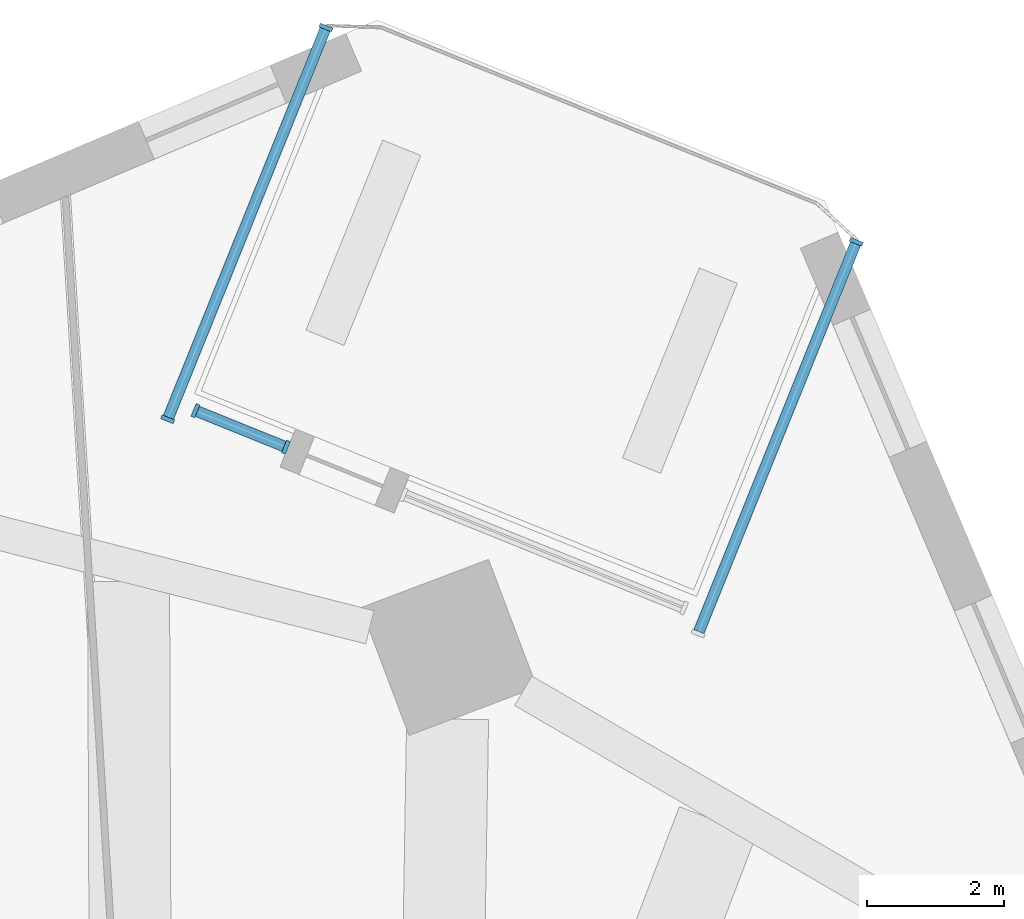
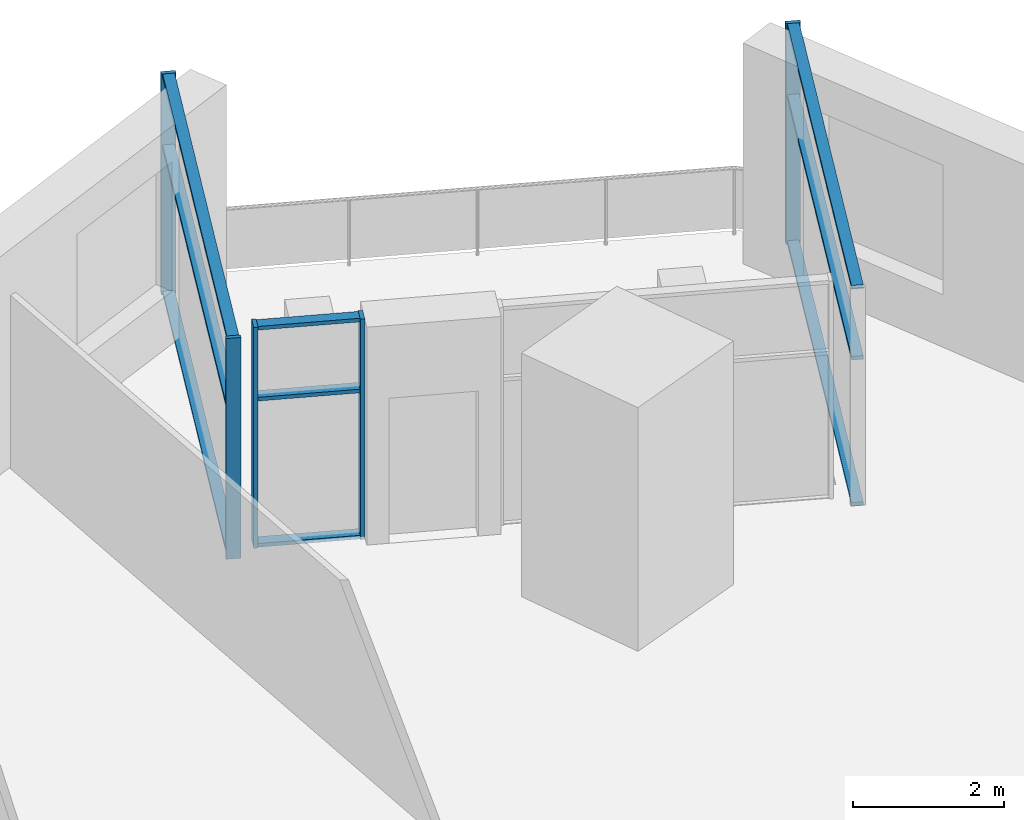
# One storey, part 4 of 12: 14 members, 3 elements without a shape of their own.
"""IFC4 building model written with IfcOpenShell, lengths in metres."""

from ifc_helpers import new_model, si_unit, direction, frame, origin, origin_2d, place, context, subcontext, project, spatial, rectangle, extrude, material, material_profile, profile_set, type_object, element, aggregate, save


model = new_model("IFC4")

# Units and contexts
model_context = context("Model", 3, precision=1e-05, world=origin(), true_north=direction((0.0, 1.0)))
body_context = subcontext(model_context, "Body", "Model", "MODEL_VIEW")
ifc_project = project(units=[si_unit("LENGTHUNIT", "METRE"), si_unit("AREAUNIT", "SQUARE_METRE"), si_unit("VOLUMEUNIT", "CUBIC_METRE"), si_unit("PLANEANGLEUNIT", "RADIAN"), si_unit("MASSUNIT", "GRAM", prefix="KILO")], contexts=[model_context])

# Site, building, storey
site_placement = place(None, origin())
site = spatial("IfcSite", under=ifc_project, at=site_placement, CompositionType="ELEMENT")
building_placement = place(site_placement, origin())
building = spatial("IfcBuilding", under=site, at=building_placement, Name="Dilmun Exchange Tower", CompositionType="ELEMENT")
storey_placement = place(building_placement, frame((0.0, 0.0, 114.10009765625)))
storey = spatial("IfcBuildingStorey", under=building, at=storey_placement, Name="L26", CompositionType="ELEMENT", Elevation=114.10009765625)

# Curtain wall, member
ifc_material_1 = material(Name="Anodised aluminium and clear glass", Category="aluminium")
curtain_wall_type = type_object("IfcCurtainWallType", Name="Garden corner glazing", PredefinedType="NOTDEFINED", material=ifc_material_1)
curtain_wall_1_placement = place(storey_placement, origin())
curtain_wall_1 = element("IfcCurtainWall", 1, at=curtain_wall_1_placement, inside=storey, type_object=curtain_wall_type, Name="Garden corner glazing run GC1.1", PredefinedType="NOTDEFINED")
ifc_material_2 = material(Name="Anodised aluminium", Category="aluminium")
ifc_material_profile_1 = material_profile(ifc_material_2, rectangle(XDim=0.199951171875, YDim=0.06005859375, at=origin_2d()), Name="AL 60x200")
ifc_profile_set_1 = profile_set([ifc_material_profile_1], Name="Anodised aluminium")
member_type_1 = type_object("IfcMemberType", Name="Garden corner glazing mullion 60 x 200", PredefinedType="MULLION", material=ifc_profile_set_1)
member_1_placement = place(storey_placement, frame((19.090576171875, 32.29296875, 0.0), z_axis=(0.0, 0.0, 1.0), x_axis=(0.927181535276, -0.374612333812, 0.0)))
member_1 = element("IfcMember", 2, at=member_1_placement, type_object=member_type_1, Name="GC1.1 mullion 1", PredefinedType="MULLION", context=body_context, shape_type="SweptSolid", body=[
    extrude(rectangle(XDim=0.199951171875, YDim=0.06005859375, at=origin_2d()), origin(), (0.0, 0.0, 1.0), 3.579833984375),
])

# Curtain wall, members
curtain_wall_2_placement = place(storey_placement, origin())
curtain_wall_2 = element("IfcCurtainWall", 3, at=curtain_wall_2_placement, inside=storey, type_object=curtain_wall_type, Name="Garden corner glazing run GC2.3", PredefinedType="NOTDEFINED")
member_2_placement = place(storey_placement, frame((10.7373046875, 29.287109375, 0.0), z_axis=(0.0, 0.0, 1.0), x_axis=(-0.374584072778, -0.927192953177, 0.0)))
member_2 = element("IfcMember", 4, at=member_2_placement, type_object=member_type_1, Name="GC2.3 mullion 1", PredefinedType="MULLION", context=body_context, shape_type="SweptSolid", body=[
    extrude(rectangle(XDim=0.199951171875, YDim=0.06005859375, at=origin_2d()), origin(), (0.0, 0.0, 1.0), 3.579833984375),
])
member_3_placement = place(storey_placement, frame((9.412109375, 29.822265625, 0.0), z_axis=(0.0, 0.0, 1.0), x_axis=(-0.374584072778, -0.927192953177, 0.0)))
member_3 = element("IfcMember", 5, at=member_3_placement, type_object=member_type_1, Name="GC2.3 mullion 2", PredefinedType="MULLION", context=body_context, shape_type="SweptSolid", body=[
    extrude(rectangle(XDim=0.199951171875, YDim=0.06005859375, at=origin_2d()), origin(), (0.0, 0.0, 1.0), 3.579833984375),
])

curtain_wall_3_placement = place(storey_placement, origin())
curtain_wall_3 = element("IfcCurtainWall", 6, at=curtain_wall_3_placement, inside=storey, type_object=curtain_wall_type, Name="Garden corner glazing run GC3.1", PredefinedType="NOTDEFINED")
member_4_placement = place(storey_placement, frame((9.005126953125, 29.695556640625, 0.0), z_axis=(0.0, 0.0, 1.0), x_axis=(-0.927187095693, 0.374598571247, 0.0)))
member_4 = element("IfcMember", 7, at=member_4_placement, type_object=member_type_1, Name="GC3.1 mullion 1", PredefinedType="MULLION", context=body_context, shape_type="SweptSolid", body=[
    extrude(rectangle(XDim=0.199951171875, YDim=0.06005859375, at=origin_2d()), origin(), (0.0, 0.0, 1.0), 3.579833984375),
])
member_5_placement = place(storey_placement, frame((11.322509765625, 35.431640625, 0.0), z_axis=(0.0, 0.0, 1.0), x_axis=(-0.927187095693, 0.374598571247, 0.0)))
member_5 = element("IfcMember", 8, at=member_5_placement, type_object=member_type_1, Name="GC3.1 mullion 2", PredefinedType="MULLION", context=body_context, shape_type="SweptSolid", body=[
    extrude(rectangle(XDim=0.199951171875, YDim=0.06005859375, at=origin_2d()), origin(), (0.0, 0.0, 1.0), 3.579833984375),
])

# Member
ifc_material_profile_2 = material_profile(ifc_material_2, rectangle(XDim=0.159912109375, YDim=0.06005859375, at=origin_2d()), Name="AL 60x160")
ifc_profile_set_2 = profile_set([ifc_material_profile_2], Name="Anodised aluminium")
member_type_2 = type_object("IfcMemberType", Name="Garden corner glazing transom 60 x 160", PredefinedType="USERDEFINED", material=ifc_profile_set_2)
member_6_placement = place(storey_placement, frame((19.079345703125, 32.265380859375, 0.02978515625), z_axis=(-0.374590211366, -0.927190473176, 0.0), x_axis=(0.927190473176, -0.374590211366, 0.0)))
member_6 = element("IfcMember", 9, at=member_6_placement, type_object=member_type_2, Name="GC1.1 transom 1.1", ObjectType="TRANSOM", PredefinedType="USERDEFINED", context=body_context, shape_type="SweptSolid", body=[
    extrude(rectangle(XDim=0.159912109375, YDim=0.06005859375, at=origin_2d()), origin(), (0.0, 0.0, 1.0), 6.12646484375),
])

member_7_placement = place(storey_placement, frame((19.079345703125, 32.265380859375, 2.39990234375), z_axis=(-0.374590211366, -0.927190473176, 0.0), x_axis=(0.927190473176, -0.374590211366, 0.0)))
member_7 = element("IfcMember", 10, at=member_7_placement, type_object=member_type_2, Name="GC1.1 transom 1.2", ObjectType="TRANSOM", PredefinedType="USERDEFINED", context=body_context, shape_type="SweptSolid", body=[
    extrude(rectangle(XDim=0.159912109375, YDim=0.06005859375, at=origin_2d()), origin(), (0.0, 0.0, 1.0), 6.12646484375),
])

member_8_placement = place(storey_placement, frame((19.079345703125, 32.265380859375, 3.5498046875), z_axis=(-0.374590211366, -0.927190473176, 0.0), x_axis=(0.927190473176, -0.374590211366, 0.0)))
member_8 = element("IfcMember", 11, at=member_8_placement, type_object=member_type_2, Name="GC1.1 transom 1.3", ObjectType="TRANSOM", PredefinedType="USERDEFINED", context=body_context, shape_type="SweptSolid", body=[
    extrude(rectangle(XDim=0.159912109375, YDim=0.06005859375, at=origin_2d()), origin(), (0.0, 0.0, 1.0), 6.12646484375),
])

aggregate(curtain_wall_1, [member_1, member_6, member_7, member_8])

member_9_placement = place(storey_placement, frame((10.70947265625, 29.29833984375, 0.02978515625), z_axis=(-0.927241837108, 0.374463049601, 0.0), x_axis=(-0.374463049601, -0.927241837108, 0.0)))
member_9 = element("IfcMember", 12, at=member_9_placement, type_object=member_type_2, Name="GC2.3 transom 1.1", ObjectType="TRANSOM", PredefinedType="USERDEFINED", context=body_context, shape_type="SweptSolid", body=[
    extrude(rectangle(XDim=0.159912109375, YDim=0.06005859375, at=origin_2d()), origin(), (0.0, 0.0, 1.0), 1.369140625),
])

member_10_placement = place(storey_placement, frame((10.70947265625, 29.29833984375, 2.39990234375), z_axis=(-0.927241837108, 0.374463049601, 0.0), x_axis=(-0.374463049601, -0.927241837108, 0.0)))
member_10 = element("IfcMember", 13, at=member_10_placement, type_object=member_type_2, Name="GC2.3 transom 1.2", ObjectType="TRANSOM", PredefinedType="USERDEFINED", context=body_context, shape_type="SweptSolid", body=[
    extrude(rectangle(XDim=0.159912109375, YDim=0.06005859375, at=origin_2d()), origin(), (0.0, 0.0, 1.0), 1.369140625),
])

member_11_placement = place(storey_placement, frame((10.70947265625, 29.29833984375, 3.5498046875), z_axis=(-0.927241837108, 0.374463049601, 0.0), x_axis=(-0.374463049601, -0.927241837108, 0.0)))
member_11 = element("IfcMember", 14, at=member_11_placement, type_object=member_type_2, Name="GC2.3 transom 1.3", ObjectType="TRANSOM", PredefinedType="USERDEFINED", context=body_context, shape_type="SweptSolid", body=[
    extrude(rectangle(XDim=0.159912109375, YDim=0.06005859375, at=origin_2d()), origin(), (0.0, 0.0, 1.0), 1.369140625),
])

aggregate(curtain_wall_2, [member_2, member_3, member_9, member_10, member_11])

member_12_placement = place(storey_placement, frame((9.016357421875, 29.723388671875, 0.02978515625), z_axis=(0.374590211366, 0.927190473176, 0.0), x_axis=(-0.927190473176, 0.374590211366, 0.0)))
member_12 = element("IfcMember", 15, at=member_12_placement, type_object=member_type_2, Name="GC3.1 transom 1.1", ObjectType="TRANSOM", PredefinedType="USERDEFINED", context=body_context, shape_type="SweptSolid", body=[
    extrude(rectangle(XDim=0.159912109375, YDim=0.06005859375, at=origin_2d()), origin(), (0.0, 0.0, 1.0), 6.12646484375),
])

member_13_placement = place(storey_placement, frame((9.016357421875, 29.723388671875, 2.39990234375), z_axis=(0.374590211366, 0.927190473176, 0.0), x_axis=(-0.927190473176, 0.374590211366, 0.0)))
member_13 = element("IfcMember", 16, at=member_13_placement, type_object=member_type_2, Name="GC3.1 transom 1.2", ObjectType="TRANSOM", PredefinedType="USERDEFINED", context=body_context, shape_type="SweptSolid", body=[
    extrude(rectangle(XDim=0.159912109375, YDim=0.06005859375, at=origin_2d()), origin(), (0.0, 0.0, 1.0), 6.12646484375),
])

member_14_placement = place(storey_placement, frame((9.016357421875, 29.723388671875, 3.5498046875), z_axis=(0.374590211366, 0.927190473176, 0.0), x_axis=(-0.927190473176, 0.374590211366, 0.0)))
member_14 = element("IfcMember", 17, at=member_14_placement, type_object=member_type_2, Name="GC3.1 transom 1.3", ObjectType="TRANSOM", PredefinedType="USERDEFINED", context=body_context, shape_type="SweptSolid", body=[
    extrude(rectangle(XDim=0.159912109375, YDim=0.06005859375, at=origin_2d()), origin(), (0.0, 0.0, 1.0), 6.12646484375),
])

aggregate(curtain_wall_3, [member_4, member_5, member_12, member_13, member_14])

save(model, "model.ifc")
